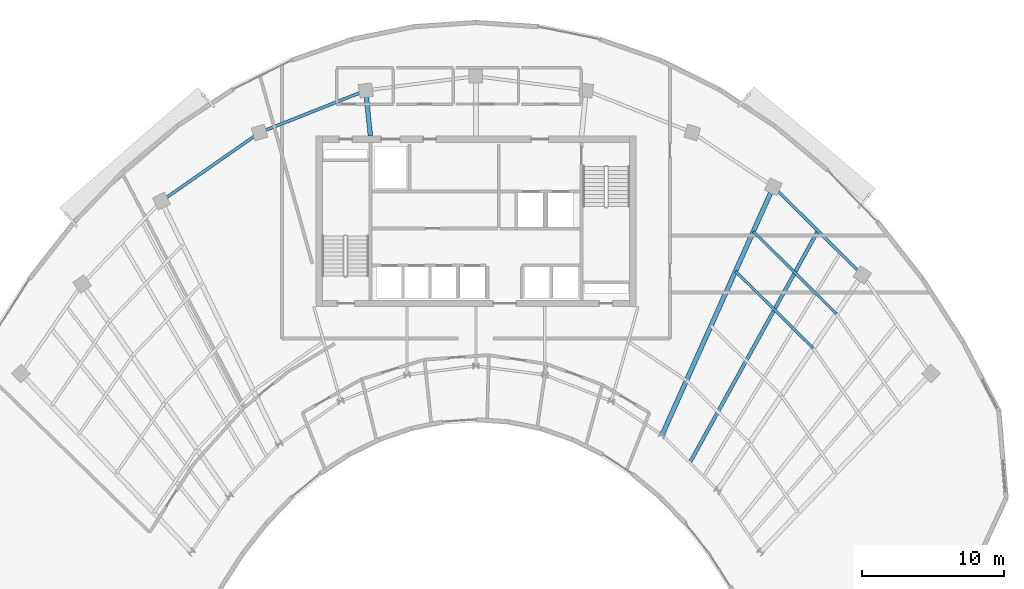
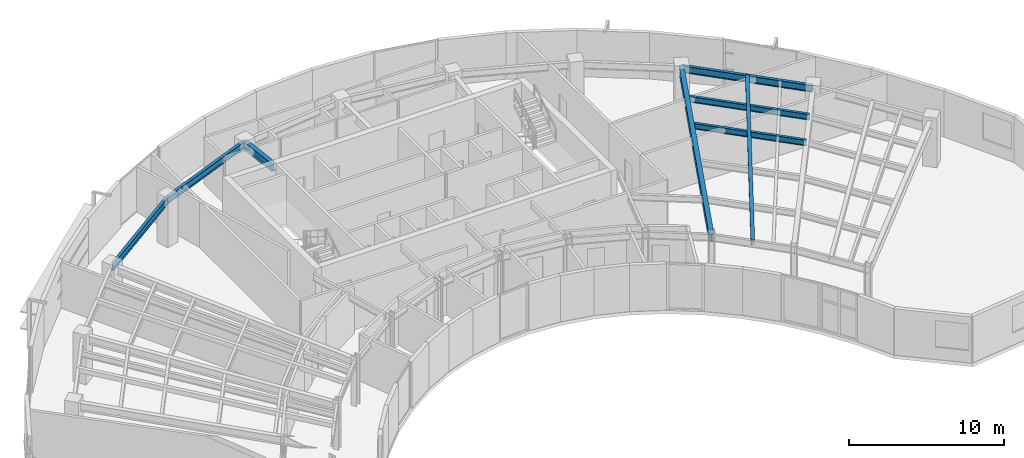
# One storey, part 4 of 13: 8 beams.
"""IFC4 building model written with IfcOpenShell, lengths in metres."""

from ifc_helpers import new_model, si_unit, direction, frame, origin, origin_2d, place, context, subcontext, project, spatial, hollow_rectangle, i_section, extrude, source, transform, mapped, material, material_profile, profile_set, type_object, element, save


model = new_model("IFC4")

# Units and contexts
model_context = context("Model", 3, precision=1e-05, world=origin(), true_north=direction((0.0, 1.0)))
body_context = subcontext(model_context, "Body", "Model", "MODEL_VIEW")
ifc_project = project(units=[si_unit("LENGTHUNIT", "METRE"), si_unit("AREAUNIT", "SQUARE_METRE"), si_unit("VOLUMEUNIT", "CUBIC_METRE"), si_unit("PLANEANGLEUNIT", "RADIAN"), si_unit("MASSUNIT", "GRAM", prefix="KILO")], contexts=[model_context])

# Site, building, storey
site_placement = place(None, origin())
site = spatial("IfcSite", under=ifc_project, at=site_placement, CompositionType="ELEMENT")
building_placement = place(site_placement, origin())
building = spatial("IfcBuilding", under=site, at=building_placement, Name="Breltana Convention Tower", CompositionType="ELEMENT")
storey_placement = place(building_placement, frame((0.0, 0.0, 223.5)))
storey = spatial("IfcBuildingStorey", under=building, at=storey_placement, Name="L54", CompositionType="ELEMENT", Elevation=223.5)

# Beams
ifc_material = material(Name="Steel ASTM A992 Grade 50", Category="steel")
ifc_material_profile_1 = material_profile(ifc_material, i_section(OverallWidth=0.19091796875, OverallDepth=0.4599609375, WebThickness=0.010009765625, FlangeThickness=0.01611328125, at=origin_2d()), Name="W18X55")
ifc_profile_set_1 = profile_set([ifc_material_profile_1], Name="Steel ASTM A992 Grade 50")
beam_type_1 = type_object("IfcBeamType", Name="BM-JSG-07", PredefinedType="JOIST", material=ifc_profile_set_1)
shared_shape_1 = source(origin(), body_context, "Body", "SweptSolid", [
    extrude(i_section(OverallWidth=0.19091796875, OverallDepth=0.4599609375, WebThickness=0.010009765625, FlangeThickness=0.01611328125, at=origin_2d()), origin(), (0.0, 0.0, 1.0), 7.688720703125),
])
beam_1_placement = place(storey_placement, frame((66.248779296875, 62.697265625, 3.409912109375), z_axis=(0.710101109809, -0.704099718682, 0.0), x_axis=(0.704099718682, 0.710101109809, 0.0)))
element("IfcBeam", 1, at=beam_1_placement, inside=storey, type_object=beam_type_1, Name="L54 Composite Floor Joist 09.3", PredefinedType="JOIST", context=body_context, shape_type="MappedRepresentation", body=[
    mapped(shared_shape_1, transform((0.0, 0.0, 0.0), scale=1.0)),
])
shared_shape_2 = source(origin(), body_context, "Body", "SweptSolid", [
    extrude(i_section(OverallWidth=0.19091796875, OverallDepth=0.4599609375, WebThickness=0.010009765625, FlangeThickness=0.01611328125, at=origin_2d()), origin(), (0.0, 0.0, 1.0), 8.21630859375),
])
beam_2_placement = place(storey_placement, frame((67.50146484375, 65.49072265625, 3.409912109375), z_axis=(0.710101511063, -0.704099314008, 0.0), x_axis=(0.704099314008, 0.710101511063, 0.0)))
element("IfcBeam", 2, at=beam_2_placement, inside=storey, type_object=beam_type_1, Name="L54 Composite Floor Joist 09.4", PredefinedType="JOIST", context=body_context, shape_type="MappedRepresentation", body=[
    mapped(shared_shape_2, transform((0.0, 0.0, 0.0), scale=1.0)),
])
ifc_material_profile_2 = material_profile(ifc_material, hollow_rectangle(XDim=0.25, YDim=0.35009765625, WallThickness=0.011962890625, at=origin_2d()), Name="RHS350X250X12")
ifc_profile_set_2 = profile_set([ifc_material_profile_2], Name="Steel ASTM A992 Grade 50")
beam_type_2 = type_object("IfcBeamType", Name="BM-JSG-12", PredefinedType="JOIST", material=ifc_profile_set_2)
shared_shape_3 = source(origin(), body_context, "Body", "SweptSolid", [
    extrude(hollow_rectangle(XDim=0.25, YDim=0.35009765625, WallThickness=0.011962890625, at=origin_2d()), origin(), (0.0, 0.0, 1.0), 18.617431640625),
])
beam_3_placement = place(storey_placement, frame((63.038818359375, 49.234130859375, 3.465087890625), z_axis=(0.483405602507, 0.875396495004, 0.0), x_axis=(-0.875396495004, 0.483405602507, 0.0)))
element("IfcBeam", 3, at=beam_3_placement, inside=storey, type_object=beam_type_2, Name="L54 Mid-Bay Radial Trimmer 09", PredefinedType="JOIST", context=body_context, shape_type="MappedRepresentation", body=[
    mapped(shared_shape_3, transform((0.0, 0.0, 0.0), scale=1.0)),
])
ifc_material_profile_3 = material_profile(ifc_material, i_section(OverallWidth=0.326904296875, OverallDepth=0.6220703125, WebThickness=0.015380859375, FlangeThickness=0.0244140625, at=origin_2d()), Name="W24X131")
ifc_profile_set_3 = profile_set([ifc_material_profile_3], Name="Steel ASTM A992 Grade 50")
beam_type_3 = type_object("IfcBeamType", Name="BM-RG-W24X131", PredefinedType="USERDEFINED", material=ifc_profile_set_3)
shared_shape_4 = source(origin(), body_context, "Body", "SweptSolid", [
    extrude(i_section(OverallWidth=0.326904296875, OverallDepth=0.6220703125, WebThickness=0.015380859375, FlangeThickness=0.0244140625, at=origin_2d()), origin(), (0.0, 0.0, 1.0), 3.220947265625),
])
beam_4_placement = place(storey_placement, frame((40.580078125, 72.199951171875, 3.3291015625), z_axis=(-0.101492254858, 0.994836329355, 0.0), x_axis=(-0.994836329355, -0.101492254858, 0.0)))
element("IfcBeam", 4, at=beam_4_placement, inside=storey, type_object=beam_type_3, Name="L54 North Core Radial Girder R05", ObjectType="GIRDER", PredefinedType="USERDEFINED", context=body_context, shape_type="MappedRepresentation", body=[
    mapped(shared_shape_4, transform((0.0, 0.0, 0.0), scale=1.0)),
])
shared_shape_5 = source(origin(), body_context, "Body", "SweptSolid", [
    extrude(i_section(OverallWidth=0.326904296875, OverallDepth=0.6220703125, WebThickness=0.015380859375, FlangeThickness=0.0244140625, at=origin_2d()), origin(), (0.0, 0.0, 1.0), 19.133544921875),
])
beam_5_placement = place(storey_placement, frame((61.08203125, 51.174560546875, 3.3291015625), z_axis=(0.409144564164, 0.912469575172, 0.0), x_axis=(-0.912469575172, 0.409144564164, 0.0)))
element("IfcBeam", 5, at=beam_5_placement, inside=storey, type_object=beam_type_3, Name="L54 Radial Floor Girder R09", ObjectType="GIRDER", PredefinedType="USERDEFINED", context=body_context, shape_type="MappedRepresentation", body=[
    mapped(shared_shape_5, transform((0.0, 0.0, 0.0), scale=1.0)),
])
ifc_material_profile_4 = material_profile(ifc_material, i_section(OverallWidth=0.214111328125, OverallDepth=0.549072265625, WebThickness=0.0146484375, FlangeThickness=0.023681640625, at=origin_2d()), Name="W21X93")
ifc_profile_set_4 = profile_set([ifc_material_profile_4], Name="Steel ASTM A992 Grade 50")
beam_type_4 = type_object("IfcBeamType", Name="BM-SP-W21X93", PredefinedType="SPANDREL", material=ifc_profile_set_4)
shared_shape_6 = source(origin(), body_context, "Body", "SweptSolid", [
    extrude(i_section(OverallWidth=0.214111328125, OverallDepth=0.549072265625, WebThickness=0.0146484375, FlangeThickness=0.023681640625, at=origin_2d()), origin(), (0.0, 0.0, 1.0), 8.4169921875),
])
beam_6_placement = place(storey_placement, frame((25.8876953125, 67.626953125, 3.365478515625), z_axis=(0.820173800102, 0.572114444519, 0.0), x_axis=(-0.572114444519, 0.820173800102, 0.0)))
element("IfcBeam", 6, at=beam_6_placement, inside=storey, type_object=beam_type_4, Name="L54 Outer Spandrel Beam 03", PredefinedType="SPANDREL", context=body_context, shape_type="MappedRepresentation", body=[
    mapped(shared_shape_6, transform((0.0, 0.0, 0.0), scale=1.0)),
])
shared_shape_7 = source(origin(), body_context, "Body", "SweptSolid", [
    extrude(i_section(OverallWidth=0.214111328125, OverallDepth=0.549072265625, WebThickness=0.0146484375, FlangeThickness=0.023681640625, at=origin_2d()), origin(), (0.0, 0.0, 1.0), 8.028564453125),
])
beam_7_placement = place(storey_placement, frame((32.791015625, 72.4423828125, 3.365478515625), z_axis=(0.929459100394, 0.368925169507, 0.0), x_axis=(-0.368925169507, 0.929459100394, 0.0)))
element("IfcBeam", 7, at=beam_7_placement, inside=storey, type_object=beam_type_4, Name="L54 Outer Spandrel Beam 04", PredefinedType="SPANDREL", context=body_context, shape_type="MappedRepresentation", body=[
    mapped(shared_shape_7, transform((0.0, 0.0, 0.0), scale=1.0)),
])
shared_shape_8 = source(origin(), body_context, "Body", "SweptSolid", [
    extrude(i_section(OverallWidth=0.214111328125, OverallDepth=0.549072265625, WebThickness=0.0146484375, FlangeThickness=0.023681640625, at=origin_2d()), origin(), (0.0, 0.0, 1.0), 8.810302734375),
])
beam_8_placement = place(storey_placement, frame((68.910400390625, 68.63330078125, 3.365478515625), z_axis=(0.710120823582, -0.704079836322, 0.0), x_axis=(0.704079836322, 0.710120823582, 0.0)))
element("IfcBeam", 8, at=beam_8_placement, inside=storey, type_object=beam_type_4, Name="L54 Outer Spandrel Beam 09", PredefinedType="SPANDREL", context=body_context, shape_type="MappedRepresentation", body=[
    mapped(shared_shape_8, transform((0.0, 0.0, 0.0), scale=1.0)),
])

save(model, "model.ifc")
